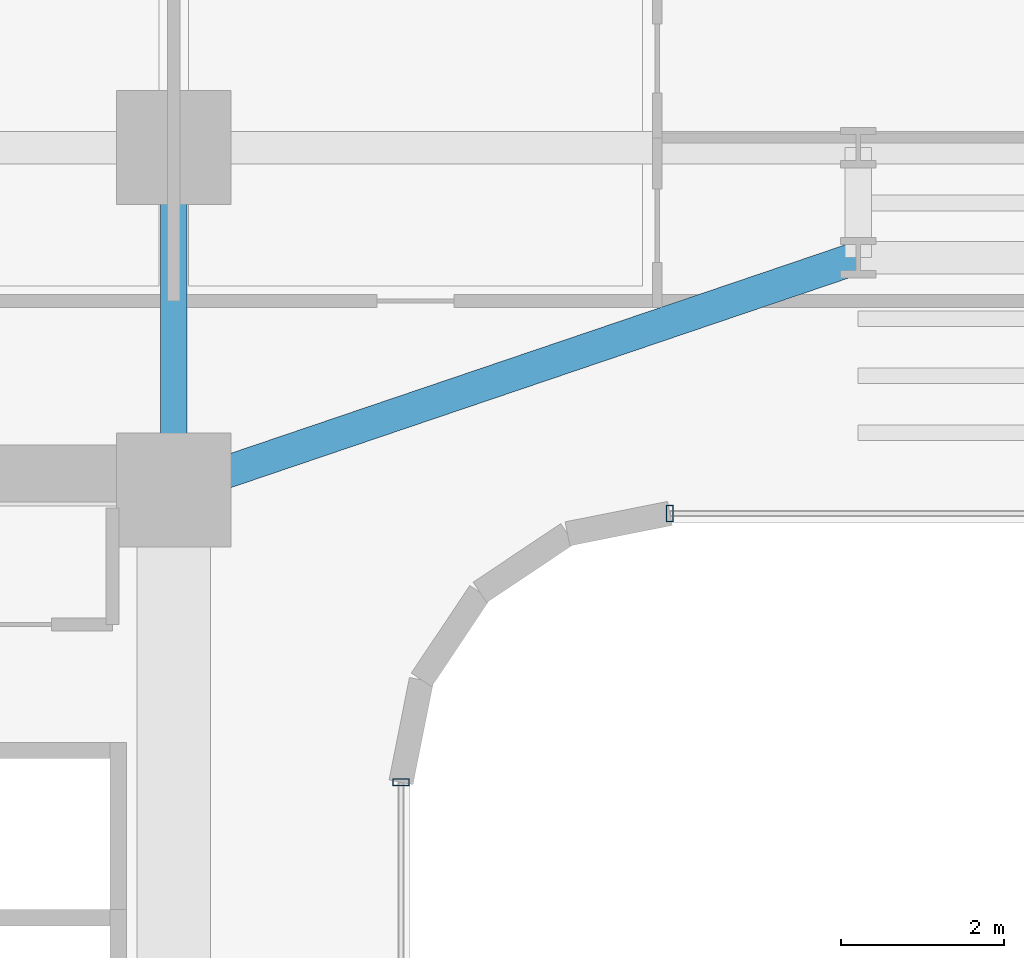
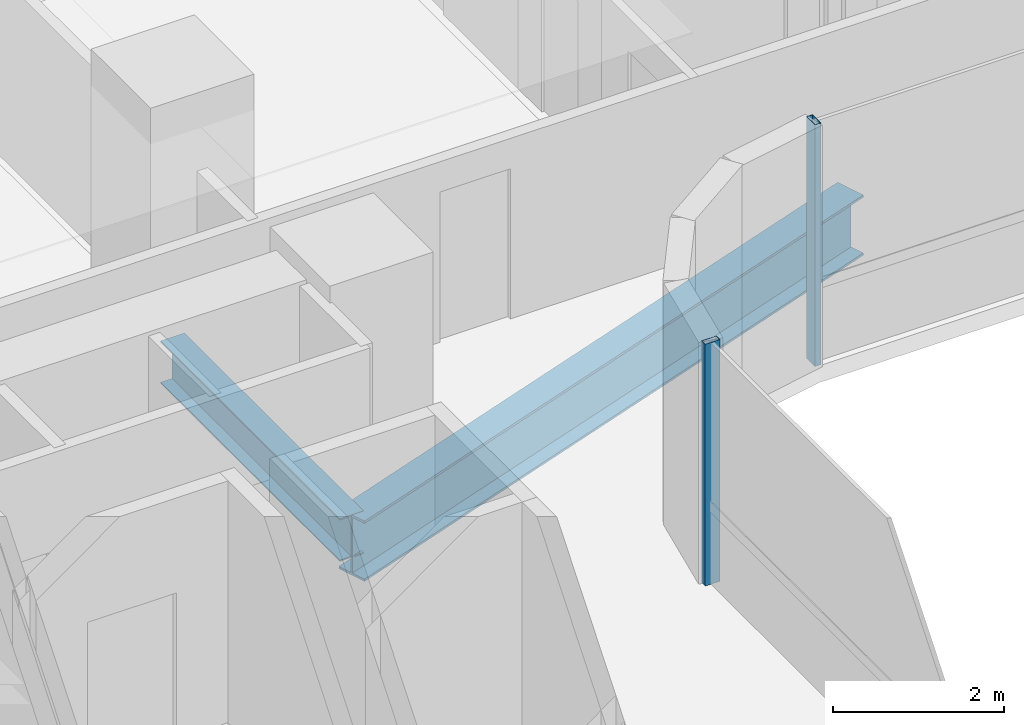
# One storey, part 13 of 41: 2 beams, 2 members, 2 elements without a shape of their own.
"""IFC4 building model written with IfcOpenShell, lengths in metres."""

from ifc_helpers import new_model, si_unit, direction, frame, origin, origin_2d, place, context, subcontext, project, spatial, hollow_rectangle, i_section, extrude, source, transform, mapped, material, material_profile, profile_set, type_object, element, aggregate, save


model = new_model("IFC4")

# Units and contexts
model_context = context("Model", 3, precision=1e-05, world=origin(), true_north=direction((0.0, 1.0)))
body_context = subcontext(model_context, "Body", "Model", "MODEL_VIEW")
ifc_project = project(units=[si_unit("LENGTHUNIT", "METRE"), si_unit("AREAUNIT", "SQUARE_METRE"), si_unit("VOLUMEUNIT", "CUBIC_METRE"), si_unit("PLANEANGLEUNIT", "RADIAN"), si_unit("MASSUNIT", "GRAM", prefix="KILO")], contexts=[model_context])

# Site, building, storey
site_placement = place(None, origin())
site = spatial("IfcSite", under=ifc_project, at=site_placement, CompositionType="ELEMENT")
building_placement = place(site_placement, origin())
building = spatial("IfcBuilding", under=site, at=building_placement, Name="Valdorenza Pilgrim Sanctuary Tower", CompositionType="ELEMENT")
storey_placement = place(building_placement, frame((0.0, 0.0, 85.199951171875)))
storey = spatial("IfcBuildingStorey", under=building, at=storey_placement, Name="L21", CompositionType="ELEMENT", Elevation=85.199951171875)

# Beams
ifc_material_1 = material(Name="Steel ASTM A992 Grade 50", Category="steel")
ifc_material_profile_1 = material_profile(ifc_material_1, i_section(OverallWidth=0.323974609375, OverallDepth=0.611083984375, WebThickness=0.0126953125, FlangeThickness=0.01904296875, at=origin_2d()), Name="W24X104")
ifc_profile_set_1 = profile_set([ifc_material_profile_1], Name="Steel ASTM A992 Grade 50")
beam_type_1 = type_object("IfcBeamType", Name="STR-BM-GRD-W24B", PredefinedType="BEAM", material=ifc_profile_set_1)
shared_shape_1 = source(origin(), body_context, "Body", "SweptSolid", [
    extrude(i_section(OverallWidth=0.323974609375, OverallDepth=0.611083984375, WebThickness=0.0126953125, FlangeThickness=0.01904296875, at=origin_2d()), origin(), (0.0, 0.0, 1.0), 4.199951171875),
])
beam_1_placement = place(storey_placement, frame((-12.39990234375, 10.60009765625, -0.54541015625), z_axis=(0.0, 1.0, 0.0), x_axis=(-1.0, 0.0, 0.0)))
element("IfcBeam", 1, at=beam_1_placement, inside=storey, type_object=beam_type_1, Name="L21 Core Tie Girder CA-E-N1N2", PredefinedType="BEAM", context=body_context, shape_type="MappedRepresentation", body=[
    mapped(shared_shape_1, transform((0.0, 0.0, 0.0), x_axis=(1.0, 0.0, 0.0), y_axis=(0.0, 1.0, 0.0), z_axis=(0.0, 0.0, 1.0), scale=1.0)),
])
ifc_material_profile_2 = material_profile(ifc_material_1, i_section(OverallWidth=0.39990234375, OverallDepth=0.862060546875, WebThickness=0.019775390625, FlangeThickness=0.032470703125, at=origin_2d()), Name="W33X221")
ifc_profile_set_2 = profile_set([ifc_material_profile_2], Name="Steel ASTM A992 Grade 50")
beam_type_2 = type_object("IfcBeamType", Name="STR-BM-GRD-W33", PredefinedType="BEAM", material=ifc_profile_set_2)
shared_shape_2 = source(origin(), body_context, "Body", "SweptSolid", [
    extrude(i_section(OverallWidth=0.39990234375, OverallDepth=0.862060546875, WebThickness=0.019775390625, FlangeThickness=0.032470703125, at=origin_2d()), origin(), (0.0, 0.0, 1.0), 8.8701171875),
])
beam_2_placement = place(storey_placement, frame((-12.39990234375, 10.60009765625, -0.6708984375), z_axis=(0.946982588361, 0.321284885018, 0.0), x_axis=(-0.321284885018, 0.946982588361, 0.0)))
element("IfcBeam", 2, at=beam_2_placement, inside=storey, type_object=beam_type_2, Name="L21 Floor Girder KNK-G1", PredefinedType="BEAM", context=body_context, shape_type="MappedRepresentation", body=[
    mapped(shared_shape_2, transform((0.0, 0.0, 0.0), x_axis=(1.0, 0.0, 0.0), y_axis=(0.0, 1.0, 0.0), z_axis=(0.0, 0.0, 1.0), scale=1.0)),
])

# Curtain wall, member
ifc_material_2 = material(Name="Curtain-wall IGU glazing", Category="glass")
curtain_wall_type = type_object("IfcCurtainWallType", Name="CW-SYS-02", PredefinedType="NOTDEFINED", material=ifc_material_2)
curtain_wall_1_placement = place(storey_placement, origin())
curtain_wall_1 = element("IfcCurtainWall", 3, at=curtain_wall_1_placement, inside=storey, type_object=curtain_wall_type, Name="L21 Curtain Wall CW-L21-1-36", PredefinedType="NOTDEFINED")
ifc_material_3 = material(Name="Anodised aluminium AW-6060", Category="aluminium")
ifc_material_profile_3 = material_profile(ifc_material_3, hollow_rectangle(XDim=0.0849609375, YDim=0.199951171875, WallThickness=0.0048828125, at=origin_2d()), Name="ALU-M 200x85x5")
ifc_profile_set_3 = profile_set([ifc_material_profile_3], Name="Anodised aluminium AW-6060")
member_type = type_object("IfcMemberType", Name="CW-MUL-02", PredefinedType="MULLION", material=ifc_profile_set_3)
shared_shape_3 = source(origin(), body_context, "Body", "SweptSolid", [
    extrude(hollow_rectangle(XDim=0.0849609375, YDim=0.199951171875, WallThickness=0.0048828125, at=origin_2d()), origin(), (0.0, 0.0, 1.0), 3.4599609375),
])
member_1_placement = place(storey_placement, frame((-6.310791015625, 10.31005859375, 0.0), z_axis=(0.0, 0.0, 1.0), x_axis=(-1.0, 0.0, 0.0)))
member_1 = element("IfcMember", 4, at=member_1_placement, type_object=member_type, Name="CW-L21-1-36 Mullion 4", PredefinedType="MULLION", context=body_context, shape_type="MappedRepresentation", body=[
    mapped(shared_shape_3, transform((0.0, 0.0, 0.0), x_axis=(1.0, 0.0, 0.0), y_axis=(0.0, 1.0, 0.0), z_axis=(0.0, 0.0, 1.0), scale=1.0)),
])
aggregate(curtain_wall_1, [member_1])

curtain_wall_2_placement = place(storey_placement, origin())
curtain_wall_2 = element("IfcCurtainWall", 5, at=curtain_wall_2_placement, inside=storey, type_object=curtain_wall_type, Name="L21 Curtain Wall CW-L21-1-41", PredefinedType="NOTDEFINED")
member_2_placement = place(storey_placement, frame((-9.610107421875, 7.0107421875, 0.0), z_axis=(0.0, 0.0, 1.0), x_axis=(0.0, -1.0, 0.0)))
member_2 = element("IfcMember", 6, at=member_2_placement, type_object=member_type, Name="CW-L21-1-41 Mullion 1", PredefinedType="MULLION", context=body_context, shape_type="MappedRepresentation", body=[
    mapped(shared_shape_3, transform((0.0, 0.0, 0.0), x_axis=(1.0, 0.0, 0.0), y_axis=(0.0, 1.0, 0.0), z_axis=(0.0, 0.0, 1.0), scale=1.0)),
])
aggregate(curtain_wall_2, [member_2])

save(model, "model.ifc")
